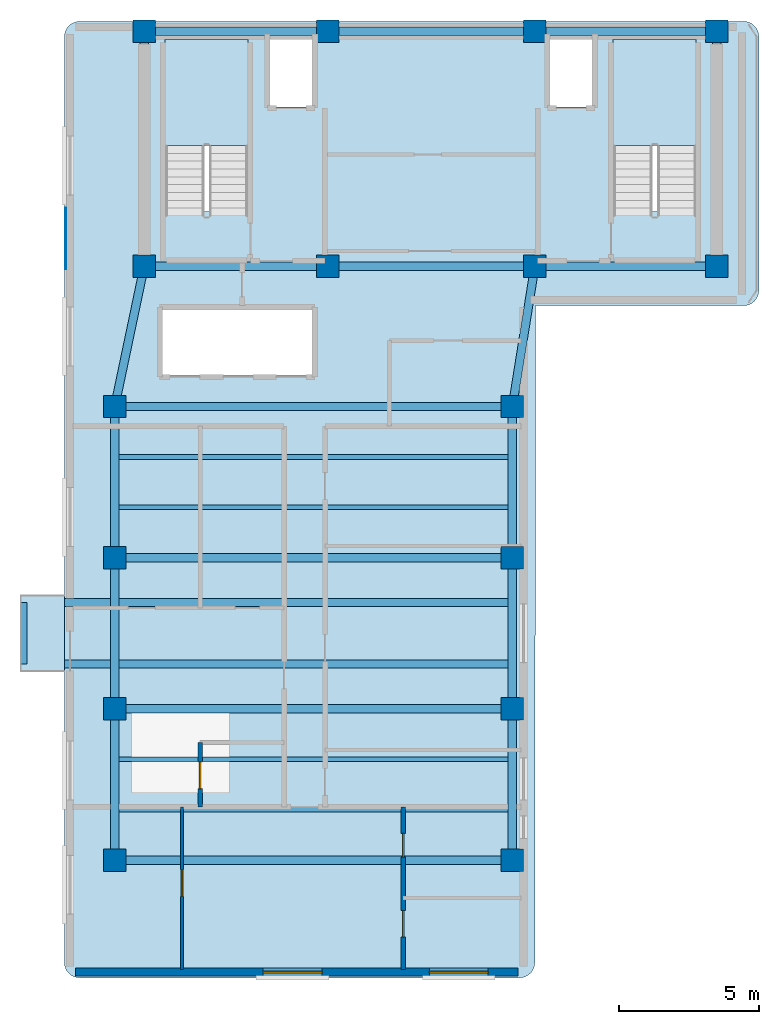
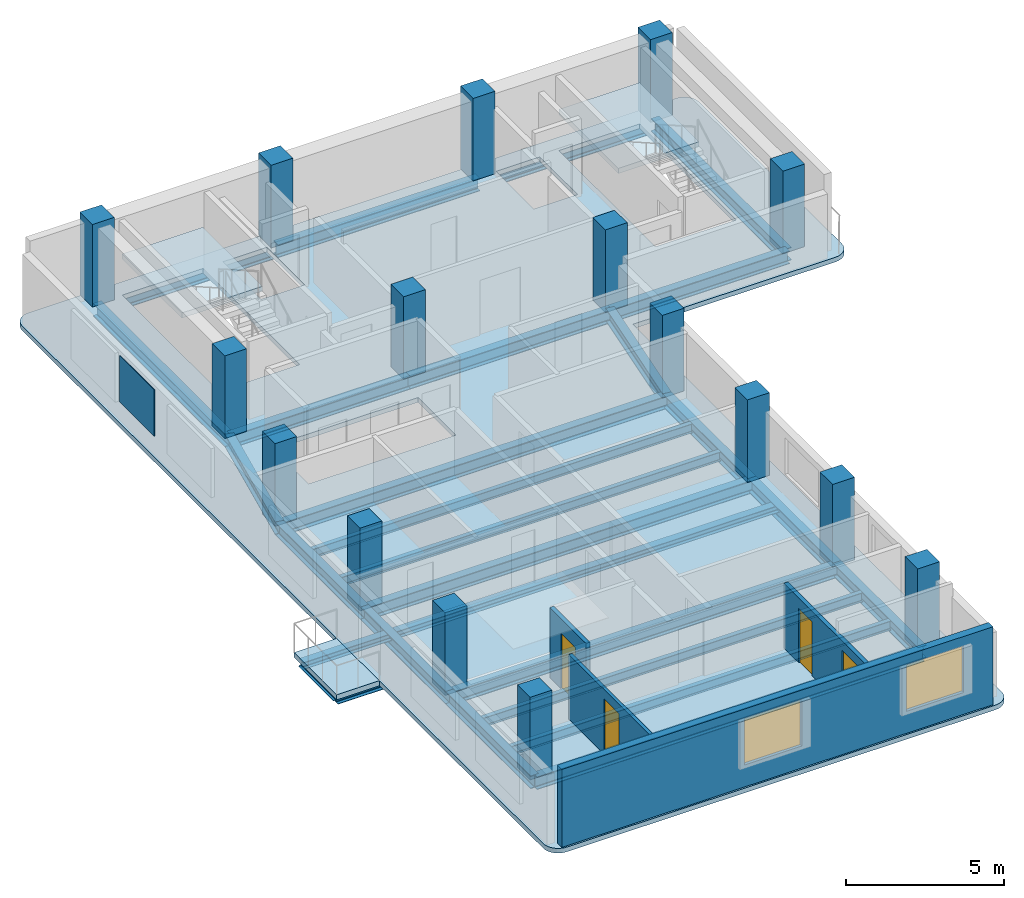
# One storey, part 1 of 5: 27 beams, 16 columns, 4 doors, 4 slabs, 4 walls, 2 windows, 1 plate, 6 openings, 2 elements without a shape of their own.
"""IFC4 building model written with IfcOpenShell, lengths in metres."""

from ifc_helpers import new_model, si_unit, direction, frame, frame_2d, origin, origin_2d, place, context, subcontext, project, spatial, polyline, rectangle, i_section, outline, extrude, material, layer, layer_set, material_profile, profile_set, type_object, element, fill, aggregate, save


model = new_model("IFC4")

# Units and contexts
model_context = context("Model", 3, precision=1e-05, world=origin(), true_north=direction((0.0, 1.0)))
body_context = subcontext(model_context, "Body", "Model", "MODEL_VIEW")
ifc_project = project(units=[si_unit("LENGTHUNIT", "METRE"), si_unit("AREAUNIT", "SQUARE_METRE"), si_unit("VOLUMEUNIT", "CUBIC_METRE"), si_unit("PLANEANGLEUNIT", "RADIAN"), si_unit("MASSUNIT", "GRAM", prefix="KILO")], contexts=[model_context])

# Site, building, storey
site_placement = place(None, origin())
site = spatial("IfcSite", under=ifc_project, at=site_placement, CompositionType="ELEMENT")
building_placement = place(site_placement, origin())
building = spatial("IfcBuilding", under=site, at=building_placement, Name="Kuzgunbayir Cultural Tower", CompositionType="ELEMENT")
storey_placement = place(building_placement, frame((0.0, 0.0, 224.800048828125)))
storey = spatial("IfcBuildingStorey", under=building, at=storey_placement, Name="L66", CompositionType="ELEMENT", Elevation=224.800048828125)

# Columns
ifc_material_1 = material(Name="Concrete C50/60", Category="concrete")
ifc_material_profile_1 = material_profile(ifc_material_1, rectangle(XDim=0.800048828125, YDim=0.800048828125, at=origin_2d()), Name="RC 800x800")
ifc_profile_set_1 = profile_set([ifc_material_profile_1], Name="Concrete C50/60")
column_type_1 = type_object("IfcColumnType", Name="COL-CORE-800", PredefinedType="COLUMN", material=ifc_profile_set_1)
for number, where, z_axis, x_axis, name in (
    (1, (6.449951171875, 33.800048828125, 0.0), (0.0, 0.0, 1.0), (1.0, 0.0, 0.0), "L66 T1 Core Boundary Column CC1-1"),
    (2, (13.0, 33.800048828125, 0.0), (0.0, 0.0, 1.0), (1.0, 0.0, 0.0), "L66 T1 Core Boundary Column CC1-2"),
    (3, (20.39990234375, 33.800048828125, 0.0), (0.0, 0.0, 1.0), (1.0, 0.0, 0.0), "L66 T1 Core Boundary Column CC1-3"),
    (4, (26.89990234375, 33.800048828125, 0.0), (0.0, 0.0, 1.0), (1.0, 0.0, 0.0), "L66 T1 Core Boundary Column CC1-4"),
    (5, (6.449951171875, 42.199951171875, 0.0), (0.0, 0.0, 1.0), (1.0, 0.0, 0.0), "L66 T1 Core Boundary Column CC1-5"),
    (6, (13.0, 42.199951171875, 0.0), (0.0, 0.0, 1.0), (1.0, 0.0, 0.0), "L66 T1 Core Boundary Column CC1-6"),
    (7, (20.39990234375, 42.199951171875, 0.0), (0.0, 0.0, 1.0), (1.0, 0.0, 0.0), "L66 T1 Core Boundary Column CC1-7"),
    (8, (26.89990234375, 42.199951171875, 0.0), (0.0, 0.0, 1.0), (1.0, 0.0, 0.0), "L66 T1 Core Boundary Column CC1-8"),
):
    element("IfcColumn", number, at=place(storey_placement, frame(where, z_axis=z_axis, x_axis=x_axis)), inside=storey, type_object=column_type_1, Name=name, PredefinedType="COLUMN", context=body_context, shape_type="SweptSolid", body=[
        extrude(rectangle(XDim=0.800048828125, YDim=0.800048828125, at=origin_2d()), origin(), (0.0, 0.0, 1.0), 3.199951171875),
    ])
ifc_material_profile_2 = material_profile(ifc_material_1, rectangle(XDim=0.800048828125, YDim=0.800048828125, at=origin_2d()), Name="RC 800x800")
ifc_profile_set_2 = profile_set([ifc_material_profile_2], Name="Concrete C50/60")
column_type_2 = type_object("IfcColumnType", Name="COL-T1-800", PredefinedType="COLUMN", material=ifc_profile_set_2)
for number, where, z_axis, x_axis, name in (
    (9, (5.39990234375, 12.60009765625, 0.0), (0.0, 0.0, 1.0), (1.0, 0.0, 0.0), "L66 Tower 1 Wing A Column T1A-W-1"),
    (10, (19.60009765625, 12.60009765625, 0.0), (0.0, 0.0, 1.0), (1.0, 0.0, 0.0), "L66 Tower 1 Wing A Column T1A-E-1"),
    (11, (5.39990234375, 18.0, 0.0), (0.0, 0.0, 1.0), (1.0, 0.0, 0.0), "L66 Tower 1 Wing A Column T1A-W-2"),
    (12, (19.60009765625, 18.0, 0.0), (0.0, 0.0, 1.0), (1.0, 0.0, 0.0), "L66 Tower 1 Wing A Column T1A-E-2"),
    (13, (5.39990234375, 23.39990234375, 0.0), (0.0, 0.0, 1.0), (1.0, 0.0, 0.0), "L66 Tower 1 Wing A Column T1A-W-3"),
    (14, (19.60009765625, 23.39990234375, 0.0), (0.0, 0.0, 1.0), (1.0, 0.0, 0.0), "L66 Tower 1 Wing A Column T1A-E-3"),
    (15, (5.39990234375, 28.800048828125, 0.0), (0.0, 0.0, 1.0), (1.0, 0.0, 0.0), "L66 Tower 1 Wing A Column T1A-W-4"),
    (16, (19.60009765625, 28.800048828125, 0.0), (0.0, 0.0, 1.0), (1.0, 0.0, 0.0), "L66 Tower 1 Wing A Column T1A-E-4"),
):
    element("IfcColumn", number, at=place(storey_placement, frame(where, z_axis=z_axis, x_axis=x_axis)), inside=storey, type_object=column_type_2, Name=name, PredefinedType="COLUMN", context=body_context, shape_type="SweptSolid", body=[
        extrude(rectangle(XDim=0.800048828125, YDim=0.800048828125, at=origin_2d()), origin(), (0.0, 0.0, 1.0), 3.199951171875),
    ])

# Beams
ifc_material_2 = material(Name="Steel S355J2", Category="steel")
ifc_material_profile_3 = material_profile(ifc_material_2, i_section(OverallWidth=0.280029296875, OverallDepth=0.280029296875, WebThickness=0.010498046875, FlangeThickness=0.01806640625, FilletRadius=0.02392578125, at=origin_2d()), Name="HEB 280")
ifc_profile_set_3 = profile_set([ifc_material_profile_3], Name="Steel S355J2")
beam_type_1 = type_object("IfcBeamType", Name="BM-BAL-HEB280", PredefinedType="BEAM", material=ifc_profile_set_3)
for number, where, z_axis, x_axis, name in (
    (17, (2.159912109375, 19.60009765625, -0.340087890625), (1.0, 0.0, 0.0), (0.0, 1.0, 0.0), "L66 Balcony Outrigger Beam BAL-L66-WA2.1"),
    (18, (2.159912109375, 21.800048828125, -0.340087890625), (1.0, 0.0, 0.0), (0.0, 1.0, 0.0), "L66 Balcony Outrigger Beam BAL-L66-WA2.2"),
):
    element("IfcBeam", number, at=place(storey_placement, frame(where, z_axis=z_axis, x_axis=x_axis)), inside=storey, type_object=beam_type_1, Name=name, PredefinedType="BEAM", context=body_context, shape_type="SweptSolid", body=[
        extrude(i_section(OverallWidth=0.280029296875, OverallDepth=0.280029296875, WebThickness=0.010498046875, FlangeThickness=0.01806640625, FilletRadius=0.02392578125, at=origin_2d()), origin(), (0.0, 0.0, 1.0), 17.440185546875),
    ])
ifc_material_profile_4 = material_profile(ifc_material_2, i_section(OverallWidth=0.199951171875, OverallDepth=0.199951171875, WebThickness=0.009033203125, FlangeThickness=0.014892578125, FilletRadius=0.01806640625, at=origin_2d()), Name="HEB 200")
ifc_profile_set_4 = profile_set([ifc_material_profile_4], Name="Steel S355J2")
beam_type_2 = type_object("IfcBeamType", Name="BM-CAN-HEB200", PredefinedType="BEAM", material=ifc_profile_set_4)
beam_1_placement = place(storey_placement, frame((2.159912109375, 19.60009765625, -0.300048828125), z_axis=(0.0, 1.0, 0.0), x_axis=(-1.0, 0.0, 0.0)))
element("IfcBeam", 19, at=beam_1_placement, inside=storey, type_object=beam_type_2, Name="L66 Balcony Edge Header BAL-L66-WA2", PredefinedType="BEAM", context=body_context, shape_type="SweptSolid", body=[
    extrude(i_section(OverallWidth=0.199951171875, OverallDepth=0.199951171875, WebThickness=0.009033203125, FlangeThickness=0.014892578125, FilletRadius=0.01806640625, at=origin_2d()), origin(), (0.0, 0.0, 1.0), 2.199951171875),
])
ifc_material_profile_5 = material_profile(ifc_material_2, i_section(OverallWidth=0.300048828125, OverallDepth=0.5, WebThickness=0.014404296875, FlangeThickness=0.028076171875, FilletRadius=0.027099609375, at=origin_2d()), Name="HEB 500")
ifc_profile_set_5 = profile_set([ifc_material_profile_5], Name="Steel S355J2")
beam_type_3 = type_object("IfcBeamType", Name="BM-EXT-HEB500", PredefinedType="BEAM", material=ifc_profile_set_5)
for number, where, z_axis, x_axis, name in (
    (20, (5.39990234375, 12.60009765625, -0.429931640625), (0.0, 1.0, 0.0), (-1.0, 0.0, 0.0), "L66 Wing A West Girder 1"),
    (21, (19.60009765625, 12.60009765625, -0.429931640625), (0.0, 1.0, 0.0), (-1.0, 0.0, 0.0), "L66 Wing A East Girder 1"),
    (22, (5.39990234375, 18.0, -0.429931640625), (0.0, 1.0, 0.0), (-1.0, 0.0, 0.0), "L66 Wing A West Girder 2"),
    (23, (19.60009765625, 18.0, -0.429931640625), (0.0, 1.0, 0.0), (-1.0, 0.0, 0.0), "L66 Wing A East Girder 2"),
):
    element("IfcBeam", number, at=place(storey_placement, frame(where, z_axis=z_axis, x_axis=x_axis)), inside=storey, type_object=beam_type_3, Name=name, PredefinedType="BEAM", context=body_context, shape_type="SweptSolid", body=[
        extrude(i_section(OverallWidth=0.300048828125, OverallDepth=0.5, WebThickness=0.014404296875, FlangeThickness=0.028076171875, FilletRadius=0.027099609375, at=origin_2d()), origin(), (0.0, 0.0, 1.0), 5.39990234375),
    ])
for number, where, z_axis, x_axis, name in (
    (24, (5.39990234375, 23.39990234375, -0.429931640625), (0.0, 1.0, 0.0), (-1.0, 0.0, 0.0), "L66 Wing A West Girder 3"),
    (25, (19.60009765625, 23.39990234375, -0.429931640625), (0.0, 1.0, 0.0), (-1.0, 0.0, 0.0), "L66 Wing A East Girder 3"),
):
    element("IfcBeam", number, at=place(storey_placement, frame(where, z_axis=z_axis, x_axis=x_axis)), inside=storey, type_object=beam_type_3, Name=name, PredefinedType="BEAM", context=body_context, shape_type="SweptSolid", body=[
        extrude(i_section(OverallWidth=0.300048828125, OverallDepth=0.5, WebThickness=0.014404296875, FlangeThickness=0.028076171875, FilletRadius=0.027099609375, at=origin_2d()), origin(), (0.0, 0.0, 1.0), 5.400146484375),
    ])
ifc_material_profile_6 = material_profile(ifc_material_2, i_section(OverallWidth=0.300048828125, OverallDepth=0.5, WebThickness=0.014404296875, FlangeThickness=0.028076171875, FilletRadius=0.027099609375, at=origin_2d()), Name="HEB 500")
ifc_profile_set_6 = profile_set([ifc_material_profile_6], Name="Steel S355J2")
beam_type_4 = type_object("IfcBeamType", Name="BM-GIR-HEB500", PredefinedType="BEAM", material=ifc_profile_set_6)
beam_2_placement = place(storey_placement, frame((6.449951171875, 33.800048828125, -0.429931640625), z_axis=(1.0, 0.0, 0.0), x_axis=(0.0, 1.0, 0.0)))
element("IfcBeam", 26, at=beam_2_placement, inside=storey, type_object=beam_type_4, Name="L66 Core South Girder 1", PredefinedType="BEAM", context=body_context, shape_type="SweptSolid", body=[
    extrude(i_section(OverallWidth=0.300048828125, OverallDepth=0.5, WebThickness=0.014404296875, FlangeThickness=0.028076171875, FilletRadius=0.027099609375, at=origin_2d()), origin(), (0.0, 0.0, 1.0), 6.550048828125),
])
beam_3_placement = place(storey_placement, frame((13.0, 33.800048828125, -0.429931640625), z_axis=(1.0, 0.0, 0.0), x_axis=(0.0, 1.0, 0.0)))
element("IfcBeam", 27, at=beam_3_placement, inside=storey, type_object=beam_type_4, Name="L66 Core South Girder 2", PredefinedType="BEAM", context=body_context, shape_type="SweptSolid", body=[
    extrude(i_section(OverallWidth=0.300048828125, OverallDepth=0.5, WebThickness=0.014404296875, FlangeThickness=0.028076171875, FilletRadius=0.027099609375, at=origin_2d()), origin(), (0.0, 0.0, 1.0), 7.39990234375),
])
beam_4_placement = place(storey_placement, frame((20.39990234375, 33.800048828125, -0.429931640625), z_axis=(1.0, 0.0, 0.0), x_axis=(0.0, 1.0, 0.0)))
element("IfcBeam", 28, at=beam_4_placement, inside=storey, type_object=beam_type_4, Name="L66 Core South Girder 3", PredefinedType="BEAM", context=body_context, shape_type="SweptSolid", body=[
    extrude(i_section(OverallWidth=0.300048828125, OverallDepth=0.5, WebThickness=0.014404296875, FlangeThickness=0.028076171875, FilletRadius=0.027099609375, at=origin_2d()), origin(), (0.0, 0.0, 1.0), 6.5),
])
beam_5_placement = place(storey_placement, frame((6.449951171875, 42.199951171875, -0.429931640625), z_axis=(1.0, 0.0, 0.0), x_axis=(0.0, 1.0, 0.0)))
element("IfcBeam", 29, at=beam_5_placement, inside=storey, type_object=beam_type_4, Name="L66 Core North Girder 1", PredefinedType="BEAM", context=body_context, shape_type="SweptSolid", body=[
    extrude(i_section(OverallWidth=0.300048828125, OverallDepth=0.5, WebThickness=0.014404296875, FlangeThickness=0.028076171875, FilletRadius=0.027099609375, at=origin_2d()), origin(), (0.0, 0.0, 1.0), 6.550048828125),
])
beam_6_placement = place(storey_placement, frame((13.0, 42.199951171875, -0.429931640625), z_axis=(1.0, 0.0, 0.0), x_axis=(0.0, 1.0, 0.0)))
element("IfcBeam", 30, at=beam_6_placement, inside=storey, type_object=beam_type_4, Name="L66 Core North Girder 2", PredefinedType="BEAM", context=body_context, shape_type="SweptSolid", body=[
    extrude(i_section(OverallWidth=0.300048828125, OverallDepth=0.5, WebThickness=0.014404296875, FlangeThickness=0.028076171875, FilletRadius=0.027099609375, at=origin_2d()), origin(), (0.0, 0.0, 1.0), 7.39990234375),
])
beam_7_placement = place(storey_placement, frame((20.39990234375, 42.199951171875, -0.429931640625), z_axis=(1.0, 0.0, 0.0), x_axis=(0.0, 1.0, 0.0)))
element("IfcBeam", 31, at=beam_7_placement, inside=storey, type_object=beam_type_4, Name="L66 Core North Girder 3", PredefinedType="BEAM", context=body_context, shape_type="SweptSolid", body=[
    extrude(i_section(OverallWidth=0.300048828125, OverallDepth=0.5, WebThickness=0.014404296875, FlangeThickness=0.028076171875, FilletRadius=0.027099609375, at=origin_2d()), origin(), (0.0, 0.0, 1.0), 6.5),
])
for number, where, z_axis, x_axis, name in (
    (32, (6.449951171875, 33.800048828125, -0.429931640625), (0.0, 1.0, 0.0), (-1.0, 0.0, 0.0), "L66 Core West Edge Girder"),
    (33, (26.89990234375, 33.800048828125, -0.429931640625), (0.0, 1.0, 0.0), (-1.0, 0.0, 0.0), "L66 Core East Edge Girder"),
):
    element("IfcBeam", number, at=place(storey_placement, frame(where, z_axis=z_axis, x_axis=x_axis)), inside=storey, type_object=beam_type_4, Name=name, PredefinedType="BEAM", context=body_context, shape_type="SweptSolid", body=[
        extrude(i_section(OverallWidth=0.300048828125, OverallDepth=0.5, WebThickness=0.014404296875, FlangeThickness=0.028076171875, FilletRadius=0.027099609375, at=origin_2d()), origin(), (0.0, 0.0, 1.0), 8.39990234375),
    ])
for number, where, z_axis, x_axis, name in (
    (34, (5.39990234375, 12.60009765625, -0.429931640625), (1.0, 0.0, 0.0), (0.0, 1.0, 0.0), "L66 Wing A Transverse Girder 1"),
    (35, (5.39990234375, 18.0, -0.429931640625), (1.0, 0.0, 0.0), (0.0, 1.0, 0.0), "L66 Wing A Transverse Girder 2"),
    (36, (5.39990234375, 23.39990234375, -0.429931640625), (1.0, 0.0, 0.0), (0.0, 1.0, 0.0), "L66 Wing A Transverse Girder 3"),
    (37, (5.39990234375, 28.800048828125, -0.429931640625), (1.0, 0.0, 0.0), (0.0, 1.0, 0.0), "L66 Wing A Transverse Girder 4"),
):
    element("IfcBeam", number, at=place(storey_placement, frame(where, z_axis=z_axis, x_axis=x_axis)), inside=storey, type_object=beam_type_4, Name=name, PredefinedType="BEAM", context=body_context, shape_type="SweptSolid", body=[
        extrude(i_section(OverallWidth=0.300048828125, OverallDepth=0.5, WebThickness=0.014404296875, FlangeThickness=0.028076171875, FilletRadius=0.027099609375, at=origin_2d()), origin(), (0.0, 0.0, 1.0), 14.2001953125),
    ])
beam_8_placement = place(storey_placement, frame((5.39990234375, 28.800048828125, -0.429931640625), z_axis=(0.205526387753, 0.978651574329, 0.0), x_axis=(-0.978651574329, 0.205526387753, 0.0)))
element("IfcBeam", 38, at=beam_8_placement, inside=storey, type_object=beam_type_4, Name="L66 Wing A West Core Floor Girder", PredefinedType="BEAM", context=body_context, shape_type="SweptSolid", body=[
    extrude(i_section(OverallWidth=0.300048828125, OverallDepth=0.5, WebThickness=0.014404296875, FlangeThickness=0.028076171875, FilletRadius=0.027099609375, at=origin_2d()), origin(), (0.0, 0.0, 1.0), 5.109130859375),
])
beam_9_placement = place(storey_placement, frame((19.60009765625, 28.800048828125, -0.429931640625), z_axis=(0.157952891656, 0.987446648694, 0.0), x_axis=(-0.987446648694, 0.157952891656, 0.0)))
element("IfcBeam", 39, at=beam_9_placement, inside=storey, type_object=beam_type_4, Name="L66 Wing A East Core Floor Girder", PredefinedType="BEAM", context=body_context, shape_type="SweptSolid", body=[
    extrude(i_section(OverallWidth=0.300048828125, OverallDepth=0.5, WebThickness=0.014404296875, FlangeThickness=0.028076171875, FilletRadius=0.027099609375, at=origin_2d()), origin(), (0.0, 0.0, 1.0), 5.0634765625),
])
ifc_material_profile_7 = material_profile(ifc_material_2, i_section(OverallWidth=0.169921875, OverallDepth=0.360107421875, WebThickness=0.008056640625, FlangeThickness=0.0126953125, FilletRadius=0.01806640625, at=origin_2d()), Name="IPE 360")
ifc_profile_set_7 = profile_set([ifc_material_profile_7], Name="Steel S355J2")
beam_type_5 = type_object("IfcBeamType", Name="BM-JST-IPE360", PredefinedType="JOIST", material=ifc_profile_set_7)
for number, where, z_axis, x_axis, name in (
    (40, (5.550048828125, 14.39990234375, -0.360107421875), (1.0, 0.0, 0.0), (0.0, 1.0, 0.0), "L66 Wing A Secondary Joist 1"),
    (41, (5.550048828125, 16.199951171875, -0.360107421875), (1.0, 0.0, 0.0), (0.0, 1.0, 0.0), "L66 Wing A Secondary Joist 2"),
    (42, (5.550048828125, 25.199951171875, -0.360107421875), (1.0, 0.0, 0.0), (0.0, 1.0, 0.0), "L66 Wing A Secondary Joist 5"),
    (43, (5.550048828125, 27.0, -0.360107421875), (1.0, 0.0, 0.0), (0.0, 1.0, 0.0), "L66 Wing A Secondary Joist 6"),
):
    element("IfcBeam", number, at=place(storey_placement, frame(where, z_axis=z_axis, x_axis=x_axis)), inside=storey, type_object=beam_type_5, Name=name, PredefinedType="JOIST", context=body_context, shape_type="SweptSolid", body=[
        extrude(i_section(OverallWidth=0.169921875, OverallDepth=0.360107421875, WebThickness=0.008056640625, FlangeThickness=0.0126953125, FilletRadius=0.01806640625, at=origin_2d()), origin(), (0.0, 0.0, 1.0), 13.89990234375),
    ])

# Plate
ifc_material_3 = material(Name="Perforated Bronze-Anodised Aluminium", Category="aluminium")
ifc_layer_1 = layer(ifc_material_3, 0.02392578125)
ifc_layer_set_1 = layer_set([ifc_layer_1], Name="Perforated Bronze-Anodised Aluminium")
plate_type = type_object("IfcPlateType", Name="PLT-SOLAR-SCREEN-14", PredefinedType="SHEET", material=ifc_layer_set_1)
plate_placement = place(storey_placement, frame((3.64990234375, 34.800048828125, 0.75), z_axis=(0.0, 0.0, 1.0), x_axis=(1.0, 0.0, 0.0)))
element("IfcPlate", 44, at=plate_placement, inside=storey, type_object=plate_type, Name="L66 Tower 1 Perforated Ceramic Solar Screen Panel", PredefinedType="SHEET", context=body_context, shape_type="SweptSolid", body=[
    extrude(rectangle(XDim=0.02392578125, YDim=2.199951171875, at=origin_2d()), origin(), (0.0, 0.0, 1.0), 1.800048828125),
])

# Slab
ifc_material_4 = material(Name="Concrete C40/50", Category="concrete")
ifc_layer_2 = layer(ifc_material_4, 0.199951171875)
ifc_layer_set_2 = layer_set([ifc_layer_2], Name="Concrete C40/50")
slab_type_1 = type_object("IfcSlabType", Name="SLB-BAL-STONE", PredefinedType="FLOOR", material=ifc_layer_set_2)
slab_1_placement = place(storey_placement, frame((0.0, 0.0, -0.199951171875)))
element("IfcSlab", 45, at=slab_1_placement, inside=storey, type_object=slab_type_1, Name="L66 Projecting Limestone Balcony BAL-L66-WA2", PredefinedType="FLOOR", context=body_context, shape_type="SweptSolid", body=[
    extrude(outline(polyline([(2.0400390625, 19.35009765625), (3.60009765625, 19.35009765625), (3.60009765625, 22.050048828125), (2.0400390625, 22.050048828125), (2.0400390625, 19.35009765625)])), origin(), (0.0, 0.0, 1.0), 0.199951171875),
])

# Stair, slab
stair_type = type_object("IfcStairType", Name="STR-EXIT-CORE", PredefinedType="HALF_TURN_STAIR", material=ifc_material_4)
stair_1_placement = place(storey_placement, origin())
stair_1 = element("IfcStair", 46, at=stair_1_placement, inside=storey, type_object=stair_type, Name="L66 ST-1", PredefinedType="HALF_TURN_STAIR")
ifc_layer_3 = layer(ifc_material_4, 0.179931640625)
ifc_layer_set_3 = layer_set([ifc_layer_3], Name="Concrete C40/50")
slab_type_2 = type_object("IfcSlabType", Name="SLB-LANDING-180", PredefinedType="LANDING", material=ifc_layer_set_3)
slab_2_placement = place(storey_placement, frame((0.0, 0.0, 1.39990234375)))
slab_2 = element("IfcSlab", 47, at=slab_2_placement, type_object=slab_type_2, Name="ST-1 landing 1", PredefinedType="LANDING", context=body_context, shape_type="SweptSolid", body=[
    extrude(outline(polyline([(10.159912109375, 38.1201171875), (10.159912109375, 41.89990234375), (7.199951171875, 41.89990234375), (7.199951171875, 38.1201171875), (10.159912109375, 38.1201171875)])), origin(), (0.0, 0.0, 1.0), 0.199951171875),
])
aggregate(stair_1, [slab_2])

stair_2_placement = place(storey_placement, origin())
stair_2 = element("IfcStair", 48, at=stair_2_placement, inside=storey, type_object=stair_type, Name="L66 ST-2", PredefinedType="HALF_TURN_STAIR")
slab_3_placement = place(storey_placement, frame((0.0, 0.0, 1.39990234375)))
slab_3 = element("IfcSlab", 49, at=slab_3_placement, type_object=slab_type_2, Name="ST-2 landing 1", PredefinedType="LANDING", context=body_context, shape_type="SweptSolid", body=[
    extrude(outline(polyline([(26.159912109375, 38.1201171875), (26.159912109375, 41.89990234375), (23.199951171875, 41.89990234375), (23.199951171875, 38.1201171875), (26.159912109375, 38.1201171875)])), origin(), (0.0, 0.0, 1.0), 0.199951171875),
])
aggregate(stair_2, [slab_3])

# Slab
ifc_layer_4 = layer(ifc_material_4, 0.179931640625)
ifc_layer_set_4 = layer_set([ifc_layer_4], Name="Concrete C40/50")
slab_type_3 = type_object("IfcSlabType", Name="SLB-TYP-180", PredefinedType="FLOOR", material=ifc_layer_set_4)
slab_4_placement = place(storey_placement, frame((0.0, 0.0, -0.179931640625)))
element("IfcSlab", 50, at=slab_4_placement, inside=storey, type_object=slab_type_3, Name="L66 Tower 1 Floor Slab T1-MAIN", PredefinedType="FLOOR", context=body_context, shape_type="SweptSolid", body=[
    extrude(outline(polyline([(20.39990234375, 8.949951171875), (20.389892578125, 8.840087890625), (20.360107421875, 8.739990234375), (20.31005859375, 8.639892578125), (20.239990234375, 8.56005859375), (20.159912109375, 8.489990234375), (20.06005859375, 8.43994140625), (19.9599609375, 8.409912109375), (19.85009765625, 8.39990234375), (4.14990234375, 8.39990234375), (4.0400390625, 8.409912109375), (3.93994140625, 8.43994140625), (3.840087890625, 8.489990234375), (3.760009765625, 8.56005859375), (3.68994140625, 8.639892578125), (3.639892578125, 8.739990234375), (3.610107421875, 8.840087890625), (3.60009765625, 8.949951171875), (3.60009765625, 42.0), (3.610107421875, 42.110107421875), (3.639892578125, 42.2099609375), (3.68994140625, 42.31005859375), (3.760009765625, 42.389892578125), (3.840087890625, 42.4599609375), (3.93994140625, 42.510009765625), (4.0400390625, 42.5400390625), (4.14990234375, 42.550048828125), (27.85009765625, 42.550048828125), (27.9599609375, 42.5400390625), (28.06005859375, 42.510009765625), (28.159912109375, 42.4599609375), (28.239990234375, 42.389892578125), (28.31005859375, 42.31005859375), (28.360107421875, 42.2099609375), (28.389892578125, 42.110107421875), (28.39990234375, 42.0), (28.39990234375, 32.949951171875), (28.389892578125, 32.840087890625), (28.360107421875, 32.739990234375), (28.31005859375, 32.639892578125), (28.239990234375, 32.56005859375), (28.159912109375, 32.489990234375), (28.06005859375, 32.43994140625), (27.9599609375, 32.409912109375), (27.85009765625, 32.39990234375), (20.429931640625, 32.39990234375), (20.39990234375, 8.949951171875)]), holes=[polyline([(7.199951171875, 35.760009765625), (7.199951171875, 41.89990234375), (10.159912109375, 41.89990234375), (10.159912109375, 35.760009765625), (7.199951171875, 35.760009765625)]), polyline([(23.199951171875, 35.760009765625), (23.199951171875, 41.89990234375), (26.159912109375, 41.89990234375), (26.159912109375, 35.760009765625), (23.199951171875, 35.760009765625)]), polyline([(7.10009765625, 29.89990234375), (7.10009765625, 32.300048828125), (12.5, 32.300048828125), (12.5, 29.89990234375), (7.10009765625, 29.89990234375)]), polyline([(10.89990234375, 39.5), (10.89990234375, 41.89990234375), (12.5, 41.89990234375), (12.5, 39.5), (10.89990234375, 39.5)]), polyline([(20.89990234375, 39.5), (20.89990234375, 41.89990234375), (22.5, 41.89990234375), (22.5, 39.5), (20.89990234375, 39.5)])]), origin(), (0.0, 0.0, 1.0), 0.179931640625),
])

# Wall, openings, windows
ifc_material_5 = material(Name="Anatolian Cream Limestone", Category="masonry")
ifc_layer_5 = layer(ifc_material_5, 0.280029296875)
ifc_layer_set_5 = layer_set([ifc_layer_5], Name="Anatolian Cream Limestone")
wall_type_1 = type_object("IfcWallType", Name="WAL-EXT-STONE-280", PredefinedType="STANDARD", material=ifc_layer_set_5)
wall_1_placement = place(storey_placement, frame((4.0, 8.60009765625, 0.0), z_axis=(0.0, 0.0, 1.0), x_axis=(1.0, 0.0, 0.0)))
wall_1 = element("IfcWall", 51, at=wall_1_placement, inside=storey, type_object=wall_type_1, Name="L66 Wing A South Limestone Wall", PredefinedType="STANDARD", context=body_context, shape_type="SweptSolid", body=[
    extrude(rectangle(XDim=15.800048828125, YDim=0.280029296875, at=frame_2d((7.89990234375, 0.0))), origin(), (0.0, 0.0, 1.0), 3.02001953125),
])
opening_1_placement = place(wall_1_placement, frame((6.699951171875, 0.0, 0.85009765625)))
opening_1 = element("IfcOpeningElement", 52, at=opening_1_placement, cuts=wall_1, Name="Opening WR-21", PredefinedType="OPENING", context=body_context, shape_type="SweptSolid", body=[
    extrude(rectangle(XDim=2.10009765625, YDim=1.800048828125, at=frame_2d((1.050048828125, 0.89990234375))), frame((0.0, 0.14990234375, 0.0), z_axis=(0.0, -1.0, 0.0), x_axis=(1.0, 0.0, 0.0)), (0.0, 0.0, 1.0), 0.300048828125),
])
opening_2_placement = place(wall_1_placement, frame((12.6298828125, 0.0, 0.85009765625)))
opening_2 = element("IfcOpeningElement", 53, at=opening_2_placement, cuts=wall_1, Name="Opening WR-21", PredefinedType="OPENING", context=body_context, shape_type="SweptSolid", body=[
    extrude(rectangle(XDim=2.10009765625, YDim=1.800048828125, at=frame_2d((1.050048828125, 0.89990234375))), frame((0.0, 0.14990234375, 0.0), z_axis=(0.0, -1.0, 0.0), x_axis=(1.0, 0.0, 0.0)), (0.0, 0.0, 1.0), 0.300048828125),
])
ifc_material_6 = material(Name="Solar-Control Triple Glazing", Category="glass")
window_type = type_object("IfcWindowType", Name="WIN-RESID-21", PartitioningType="SINGLE_PANEL", PredefinedType="WINDOW", material=ifc_material_6)
window_1_placement = place(opening_1_placement, origin())
window_1 = element("IfcWindow", 54, at=window_1_placement, inside=storey, type_object=window_type, Name="L66 WAS Facade Window 2", OverallHeight=1.800048828125, OverallWidth=2.10009765625, PartitioningType="SINGLE_PANEL", PredefinedType="WINDOW", context=body_context, shape_type="SweptSolid", body=[
    extrude(rectangle(XDim=2.10009765625, YDim=1.800048828125, at=frame_2d((1.050048828125, 0.89990234375))), frame((0.0, 0.030029296875, 0.0), z_axis=(0.0, -1.0, 0.0), x_axis=(1.0, 0.0, 0.0)), (0.0, 0.0, 1.0), 0.06005859375),
])
fill(opening_1, window_1)
window_2_placement = place(opening_2_placement, origin())
window_2 = element("IfcWindow", 55, at=window_2_placement, inside=storey, type_object=window_type, Name="L66 WAS Facade Window 3", OverallHeight=1.800048828125, OverallWidth=2.10009765625, PartitioningType="SINGLE_PANEL", PredefinedType="WINDOW", context=body_context, shape_type="SweptSolid", body=[
    extrude(rectangle(XDim=2.10009765625, YDim=1.800048828125, at=frame_2d((1.050048828125, 0.89990234375))), frame((0.0, 0.030029296875, 0.0), z_axis=(0.0, -1.0, 0.0), x_axis=(1.0, 0.0, 0.0)), (0.0, 0.0, 1.0), 0.06005859375),
])
fill(opening_2, window_2)

# Wall, opening, door
ifc_material_7 = material(Name="Framed Gypsum Partition", Category="gypsum")
ifc_layer_6 = layer(ifc_material_7, 0.1201171875)
ifc_layer_set_6 = layer_set([ifc_layer_6], Name="Framed Gypsum Partition")
wall_type_2 = type_object("IfcWallType", Name="WAL-PART-INT-120", PredefinedType="PARTITIONING", material=ifc_layer_set_6)
wall_2_placement = place(storey_placement, frame((7.800048828125, 8.699951171875, 0.0), z_axis=(0.0, 0.0, 1.0), x_axis=(0.0, 1.0, 0.0)))
wall_2 = element("IfcWall", 56, at=wall_2_placement, inside=storey, type_object=wall_type_2, Name="L66 Flat A West Bedroom Wall", PredefinedType="PARTITIONING", context=body_context, shape_type="SweptSolid", body=[
    extrude(rectangle(XDim=5.800048828125, YDim=0.1201171875, at=frame_2d((2.89990234375, 0.0))), origin(), (0.0, 0.0, 1.0), 2.510009765625),
])
opening_3_placement = place(wall_2_placement, frame((2.610107421875, 0.0, 0.0)))
opening_3 = element("IfcOpeningElement", 57, at=opening_3_placement, cuts=wall_2, Name="Opening DI-90", PredefinedType="OPENING", context=body_context, shape_type="SweptSolid", body=[
    extrude(rectangle(XDim=0.949951171875, YDim=2.14990234375, at=frame_2d((0.47509765625, 1.074951171875))), frame((0.0, 0.070068359375, 0.0), z_axis=(0.0, -1.0, 0.0), x_axis=(1.0, 0.0, 0.0)), (0.0, 0.0, 1.0), 0.14013671875),
])
ifc_material_8 = material(Name="Veneered Oak Single Leaf", Category="wood")
door_type_1 = type_object("IfcDoorType", Name="DR-INT-90", OperationType="NOTDEFINED", PredefinedType="DOOR", material=ifc_material_8)
door_1_placement = place(opening_3_placement, origin())
door_1 = element("IfcDoor", 58, at=door_1_placement, inside=storey, type_object=door_type_1, Name="L66 Apartment A Bedroom Door", OperationType="SINGLE_SWING_LEFT", OverallHeight=2.14990234375, OverallWidth=0.949951171875, PredefinedType="DOOR", context=body_context, shape_type="SweptSolid", body=[
    extrude(rectangle(XDim=0.949951171875, YDim=2.14990234375, at=frame_2d((0.47509765625, 1.074951171875))), frame((0.0, 0.02490234375, 0.0), z_axis=(0.0, -1.0, 0.0), x_axis=(1.0, 0.0, 0.0)), (0.0, 0.0, 1.0), 0.050048828125),
])
fill(opening_3, door_1)

# Wall, openings, doors
ifc_material_9 = material(Name="Moisture-Resistant Tile Partition", Category="gypsum")
ifc_layer_7 = layer(ifc_material_9, 0.14990234375)
ifc_layer_set_7 = layer_set([ifc_layer_7], Name="Moisture-Resistant Tile Partition")
wall_type_3 = type_object("IfcWallType", Name="WAL-PART-WET-150", PredefinedType="PARTITIONING", material=ifc_layer_set_7)
wall_3_placement = place(storey_placement, frame((15.699951171875, 8.699951171875, 0.0), z_axis=(0.0, 0.0, 1.0), x_axis=(0.0, 1.0, 0.0)))
wall_3 = element("IfcWall", 59, at=wall_3_placement, inside=storey, type_object=wall_type_3, Name="L66 Flat A East Service Wall", PredefinedType="PARTITIONING", context=body_context, shape_type="SweptSolid", body=[
    extrude(rectangle(XDim=5.800048828125, YDim=0.14990234375, at=frame_2d((2.89990234375, 0.0))), origin(), (0.0, 0.0, 1.0), 2.510009765625),
])
opening_4_placement = place(wall_3_placement, frame((1.14990234375, 0.0, 0.0)))
opening_4 = element("IfcOpeningElement", 60, at=opening_4_placement, cuts=wall_3, Name="Opening DI-90", PredefinedType="OPENING", context=body_context, shape_type="SweptSolid", body=[
    extrude(rectangle(XDim=0.949951171875, YDim=2.14990234375, at=frame_2d((0.47509765625, 1.074951171875))), frame((0.0, 0.0849609375, 0.0), z_axis=(0.0, -1.0, 0.0), x_axis=(1.0, 0.0, 0.0)), (0.0, 0.0, 1.0), 0.169921875),
])
opening_5_placement = place(wall_3_placement, frame((4.010009765625, 0.0, 0.0)))
opening_5 = element("IfcOpeningElement", 61, at=opening_5_placement, cuts=wall_3, Name="Opening DW-85", PredefinedType="OPENING", context=body_context, shape_type="SweptSolid", body=[
    extrude(rectangle(XDim=0.85009765625, YDim=2.10009765625, at=frame_2d((0.425048828125, 1.050048828125))), frame((0.0, 0.0849609375, 0.0), z_axis=(0.0, -1.0, 0.0), x_axis=(1.0, 0.0, 0.0)), (0.0, 0.0, 1.0), 0.169921875),
])
door_2_placement = place(opening_4_placement, origin())
door_2 = element("IfcDoor", 62, at=door_2_placement, inside=storey, type_object=door_type_1, Name="L66 Apartment A Kitchen Door", OperationType="SINGLE_SWING_RIGHT", OverallHeight=2.14990234375, OverallWidth=0.949951171875, PredefinedType="DOOR", context=body_context, shape_type="SweptSolid", body=[
    extrude(rectangle(XDim=0.949951171875, YDim=2.14990234375, at=frame_2d((0.47509765625, 1.074951171875))), frame((0.0, 0.02490234375, 0.0), z_axis=(0.0, -1.0, 0.0), x_axis=(1.0, 0.0, 0.0)), (0.0, 0.0, 1.0), 0.050048828125),
])
fill(opening_4, door_2)
ifc_material_10 = material(Name="Laminate Moisture-Resistant Leaf", Category="wood")
door_type_2 = type_object("IfcDoorType", Name="DR-WET-85", OperationType="NOTDEFINED", PredefinedType="DOOR", material=ifc_material_10)
door_3_placement = place(opening_5_placement, origin())
door_3 = element("IfcDoor", 63, at=door_3_placement, inside=storey, type_object=door_type_2, Name="L66 Apartment A Bathroom Door", OperationType="SINGLE_SWING_LEFT", OverallHeight=2.10009765625, OverallWidth=0.85009765625, PredefinedType="DOOR", context=body_context, shape_type="SweptSolid", body=[
    extrude(rectangle(XDim=0.85009765625, YDim=2.10009765625, at=frame_2d((0.425048828125, 1.050048828125))), frame((0.0, 0.02490234375, 0.0), z_axis=(0.0, -1.0, 0.0), x_axis=(1.0, 0.0, 0.0)), (0.0, 0.0, 1.0), 0.050048828125),
])
fill(opening_5, door_3)

# Wall, opening, door
wall_4_placement = place(storey_placement, frame((8.449951171875, 14.5, 0.0), z_axis=(0.0, 0.0, 1.0), x_axis=(0.0, 1.0, 0.0)))
wall_4 = element("IfcWall", 64, at=wall_4_placement, inside=storey, type_object=wall_type_3, Name="L66 Flat B Kitchen Alcove Wall", PredefinedType="PARTITIONING", context=body_context, shape_type="SweptSolid", body=[
    extrude(rectangle(XDim=2.300048828125, YDim=0.14990234375, at=frame_2d((1.14990234375, 0.0))), origin(), (0.0, 0.0, 1.0), 2.7099609375),
])
opening_6_placement = place(wall_4_placement, frame((0.64990234375, 0.0, 0.0)))
opening_6 = element("IfcOpeningElement", 65, at=opening_6_placement, cuts=wall_4, Name="Opening DI-90", PredefinedType="OPENING", context=body_context, shape_type="SweptSolid", body=[
    extrude(rectangle(XDim=0.949951171875, YDim=2.14990234375, at=frame_2d((0.47509765625, 1.074951171875))), frame((0.0, 0.0849609375, 0.0), z_axis=(0.0, -1.0, 0.0), x_axis=(1.0, 0.0, 0.0)), (0.0, 0.0, 1.0), 0.169921875),
])
door_4_placement = place(opening_6_placement, origin())
door_4 = element("IfcDoor", 66, at=door_4_placement, inside=storey, type_object=door_type_1, Name="L66 Apartment B Kitchen Door", OperationType="SINGLE_SWING_LEFT", OverallHeight=2.14990234375, OverallWidth=0.949951171875, PredefinedType="DOOR", context=body_context, shape_type="SweptSolid", body=[
    extrude(rectangle(XDim=0.949951171875, YDim=2.14990234375, at=frame_2d((0.47509765625, 1.074951171875))), frame((0.0, 0.02490234375, 0.0), z_axis=(0.0, -1.0, 0.0), x_axis=(1.0, 0.0, 0.0)), (0.0, 0.0, 1.0), 0.050048828125),
])
fill(opening_6, door_4)

save(model, "model.ifc")
